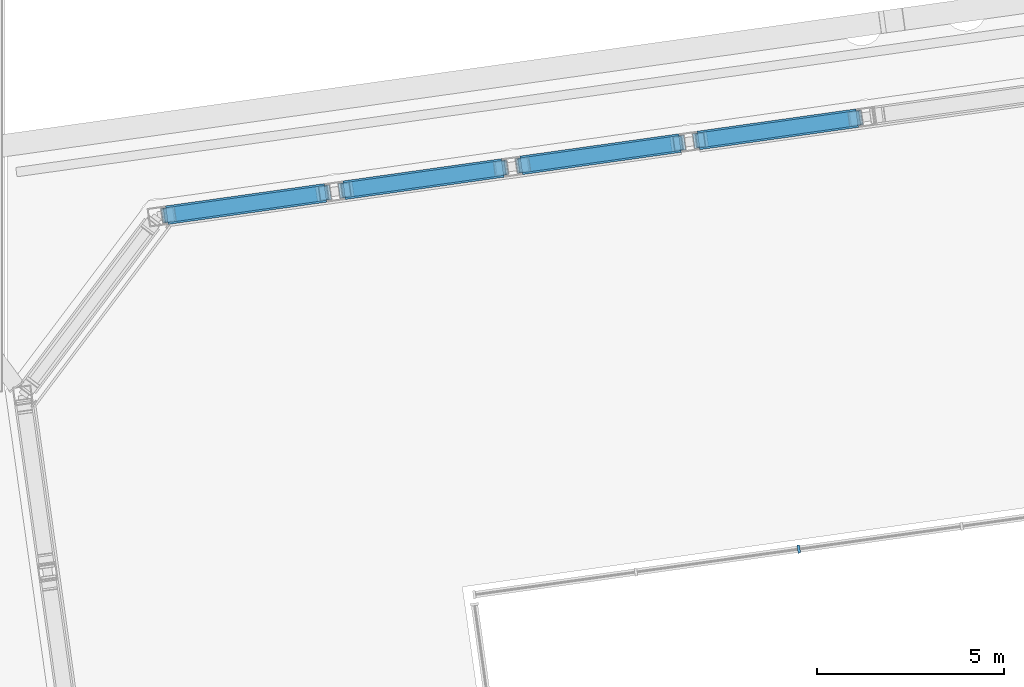
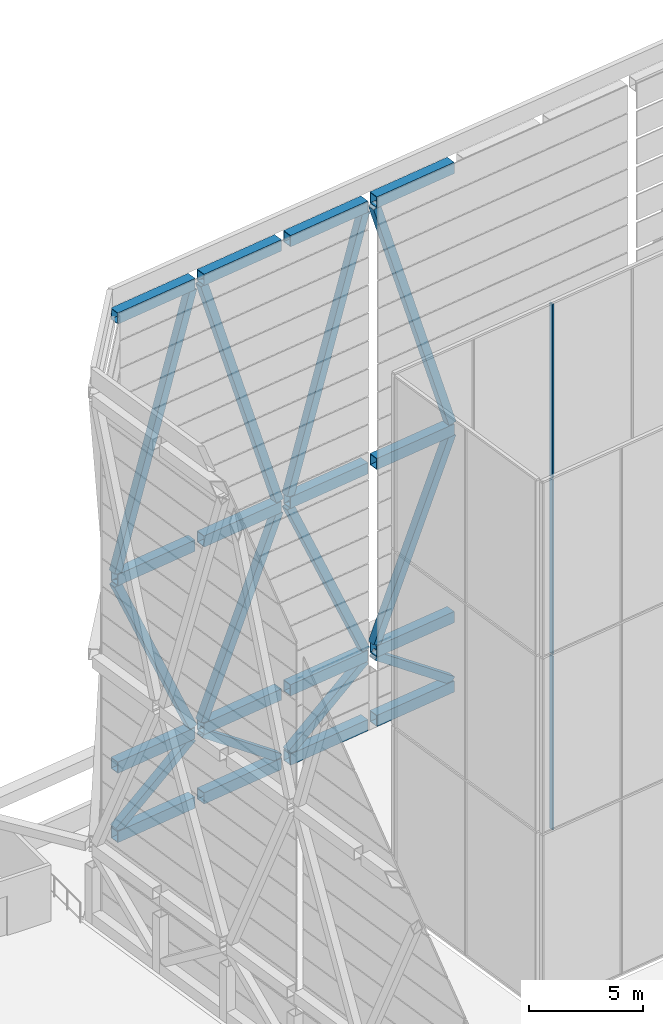
# One storey, part 15 of 45: 16 beams, 15 members, 1 element without a shape of its own.
"""IFC4 building model written with IfcOpenShell, lengths in metres."""

import ifcopenshell
import ifcopenshell.guid

model = None  # the IFC model being written
_history = None  # IfcOwnerHistory: only IFC2X3 demands one
_inside = {}  # id of a spatial element -> (the spatial element, [elements in it])
_under = {}  # id of a project, library or spatial element -> (it, [spatial elements below it])
_declared = {}  # id of a project -> (the project, [libraries it declares])
_typed = {}  # id of a type object -> (the type object, [elements of that type])
_made_of = {}  # id of a material, layer set ... -> (it, [elements and type objects made of it])


def new_model(schema):
    """Start an empty IFC model of exactly this schema.

    Asked for "IFC4X3", IfcOpenShell would pick the latest addendum, in which some entities
    have other attributes; the version numbers below select the first issue.
    IFC2X3 requires an IfcOwnerHistory on every rooted entity: one is made here for all.
    """
    global model, _history
    if schema == "IFC4X3":
        model = ifcopenshell.file(schema_version=(4, 3, 0, 0))
    else:
        model = ifcopenshell.file(schema=schema)
    _inside.clear()
    _under.clear()
    _declared.clear()
    _typed.clear()
    _made_of.clear()
    _history = None
    if model.schema == "IFC2X3":
        org = make("IfcOrganization", Name="unknown")
        user = make(
            "IfcPersonAndOrganization",
            ThePerson=make("IfcPerson", FamilyName="unknown"),
            TheOrganization=org,
        )
        app = make(
            "IfcApplication",
            ApplicationDeveloper=org,
            Version="unknown",
            ApplicationFullName="unknown",
            ApplicationIdentifier="unknown",
        )
        _history = make(
            "IfcOwnerHistory",
            OwningUser=user,
            OwningApplication=app,
            ChangeAction="ADDED",
            CreationDate=0,
        )
    return model


def make(cls, **values):
    """One entity of the class cls with the attributes given. An attribute that is None is left unset."""
    return model.create_entity(
        cls, **{name: value for name, value in values.items() if value is not None}
    )


def rooted(cls, **values):
    """An entity with a GlobalId (a new one), such as an element, a storey or a relation."""
    return make(cls, GlobalId=ifcopenshell.guid.new(), OwnerHistory=_history, **values)


def si_unit(unit_type, name, prefix=None):
    """IfcSIUnit, for example si_unit("LENGTHUNIT", "METRE", prefix="MILLI")."""
    return make("IfcSIUnit", UnitType=unit_type, Prefix=prefix, Name=name)


def assignment(units):
    """IfcUnitAssignment: the units of a project."""
    return None if units is None else make("IfcUnitAssignment", Units=units)


def point(xyz):
    """IfcCartesianPoint."""
    return None if xyz is None else make("IfcCartesianPoint", Coordinates=xyz)


def direction(xyz):
    """IfcDirection."""
    return None if xyz is None else make("IfcDirection", DirectionRatios=xyz)


def frame(location, z_axis=None, x_axis=None):
    """IfcAxis2Placement3D, a coordinate frame: its origin and axes. An axis left out is left unset."""
    return make(
        "IfcAxis2Placement3D",
        Location=point(location),
        Axis=direction(z_axis),
        RefDirection=direction(x_axis),
    )


def frame_2d(location, x_axis=None):
    """IfcAxis2Placement2D, a coordinate frame in the plane: its origin and x axis."""
    return make(
        "IfcAxis2Placement2D", Location=point(location), RefDirection=direction(x_axis)
    )


def origin():
    """The frame at (0, 0, 0) with its axes left unset."""
    return frame((0.0, 0.0, 0.0))


def origin_2d():
    """The frame at (0, 0) in the plane with its x axis left unset."""
    return frame_2d((0.0, 0.0))


def place(relative_to, where):
    """IfcLocalPlacement: puts the frame where relative to a parent placement (None: the world)."""
    return make(
        "IfcLocalPlacement", PlacementRelTo=relative_to, RelativePlacement=where
    )


def context(
    kind, dimensions, precision=None, world=None, true_north=None, identifier=None
):
    """IfcGeometricRepresentationContext, for example the 3D "Model" context."""
    return make(
        "IfcGeometricRepresentationContext",
        ContextIdentifier=identifier,
        ContextType=kind,
        CoordinateSpaceDimension=dimensions,
        Precision=precision,
        WorldCoordinateSystem=world,
        TrueNorth=true_north,
    )


def subcontext(parent, identifier, kind, view, scale=None):
    """IfcGeometricRepresentationSubContext, for example "Body" below "Model"."""
    return make(
        "IfcGeometricRepresentationSubContext",
        ContextIdentifier=identifier,
        ContextType=kind,
        ParentContext=parent,
        TargetScale=scale,
        TargetView=view,
    )


def project(units=None, contexts=None):
    """IfcProject with its units and contexts."""
    return rooted(
        "IfcProject",
        Name="project",
        RepresentationContexts=contexts,
        UnitsInContext=assignment(units),
    )


def spatial(cls, under=None, at=None, **own):
    """A site, building, storey or space (cls), placed at a placement, below another one or the project."""
    s = rooted(cls, ObjectPlacement=at, **own)
    if under is not None:
        _under.setdefault(under.id(), (under, []))[1].append(s)
    return s


def profile(cls, at=None, kind="AREA", **sizes):
    """A parametric profile (cls). Its sizes go by their IFC names, for example OverallWidth=200.0."""
    return make(cls, ProfileType=kind, Position=at, **sizes)


def rectangle(**sizes):
    """IfcRectangleProfileDef."""
    return profile("IfcRectangleProfileDef", **sizes)


def hollow_rectangle(**sizes):
    """IfcRectangleHollowProfileDef."""
    return profile("IfcRectangleHollowProfileDef", **sizes)


def extrude(swept, where, along, depth):
    """IfcExtrudedAreaSolid: the profile swept, set in the frame where, extruded along a direction by depth."""
    return make(
        "IfcExtrudedAreaSolid",
        SweptArea=swept,
        Position=where,
        ExtrudedDirection=direction(along),
        Depth=depth,
    )


def shape(context_of_items, identifier, shape_type, items):
    """IfcShapeRepresentation: the items that make up one representation, for example the "Body"."""
    return make(
        "IfcShapeRepresentation",
        ContextOfItems=context_of_items,
        RepresentationIdentifier=identifier,
        RepresentationType=shape_type,
        Items=items,
    )


def material(Name=None, Category=None):
    """IfcMaterial."""
    return make("IfcMaterial", Name=Name, Category=Category)


def material_profile(
    of_material, cross_section, Name=None, Category=None, Priority=None
):
    """IfcMaterialProfile: a cross section and its material."""
    return make(
        "IfcMaterialProfile",
        Name=Name,
        Material=of_material,
        Profile=cross_section,
        Priority=Priority,
        Category=Category,
    )


def profile_set(profiles, Name=None, composite=None):
    """IfcMaterialProfileSet."""
    return make(
        "IfcMaterialProfileSet",
        Name=Name,
        MaterialProfiles=profiles,
        CompositeProfile=composite,
    )


def made_of(thing, what):
    """Note that an element or type object is made of a material, layer set ...; save() writes the relation."""
    if what is not None:
        _made_of.setdefault(what.id(), (what, []))[1].append(thing)
    return thing


def type_object(cls, material=None, **own):
    """A type object (cls), such as IfcWallType, which elements share."""
    return made_of(rooted(cls, **own), material)


def element(
    cls,
    number,
    at=None,
    inside=None,
    cuts=None,
    type_object=None,
    material=None,
    context=None,
    identifier="Body",
    shape_type=None,
    held_by="IfcProductDefinitionShape",
    body=None,
    shapes=None,
    **own,
):
    """One element of the class cls, such as IfcWall. Its Tag is "e" and its number.

    at: its placement. inside: the storey or other place that contains it. cuts: it is an
    opening in that element (IfcRelVoidsElement). A single representation is given by context,
    identifier, shape_type and body (its items); several are given by shapes. held_by: the class
    of the entity that holds the representations. save() writes the other relations.
    """
    e = rooted(cls, Tag="e%d" % number, ObjectPlacement=at, **own)
    if body is not None:
        shapes = [shape(context, identifier, shape_type, body)]
    if shapes is not None:
        e.Representation = make(held_by, Representations=shapes)
    if inside is not None:
        _inside.setdefault(inside.id(), (inside, []))[1].append(e)
    if cuts is not None:
        rooted(
            "IfcRelVoidsElement", RelatingBuildingElement=cuts, RelatedOpeningElement=e
        )
    if type_object is not None:
        _typed.setdefault(type_object.id(), (type_object, []))[1].append(e)
    return made_of(e, material)


def aggregate(whole, parts):
    """IfcRelAggregates: a whole, such as a stair, and the parts it consists of."""
    return rooted("IfcRelAggregates", RelatingObject=whole, RelatedObjects=parts)


def save(model, path):
    """Write the relations noted so far, then the file.

    IfcRelAggregates (storeys below a building ...), IfcRelContainedInSpatialStructure (elements
    in a storey), IfcRelDefinesByType, IfcRelAssociatesMaterial and IfcRelDeclares: one each for
    every whole, place, type object, material and project.
    """
    for whole, parts in _under.values():
        aggregate(whole, parts)
    for where, things in _inside.values():
        rooted(
            "IfcRelContainedInSpatialStructure",
            RelatedElements=things,
            RelatingStructure=where,
        )
    for kind, things in _typed.values():
        rooted("IfcRelDefinesByType", RelatedObjects=things, RelatingType=kind)
    for what, things in _made_of.values():
        rooted("IfcRelAssociatesMaterial", RelatedObjects=things, RelatingMaterial=what)
    for by, libraries in _declared.values():
        rooted("IfcRelDeclares", RelatingContext=by, RelatedDefinitions=libraries)
    model.write(path)


model = new_model("IFC4")

# Units and contexts
model_context = context("Model", 3, precision=1e-05, world=origin(), true_north=direction((0.0, 1.0)))
body_context = subcontext(model_context, "Body", "Model", "MODEL_VIEW")
ifc_project = project(units=[si_unit("LENGTHUNIT", "METRE"), si_unit("AREAUNIT", "SQUARE_METRE"), si_unit("VOLUMEUNIT", "CUBIC_METRE"), si_unit("PLANEANGLEUNIT", "RADIAN"), si_unit("MASSUNIT", "GRAM", prefix="KILO")], contexts=[model_context])

# Site, building, storey
site_placement = place(None, origin())
site = spatial("IfcSite", under=ifc_project, at=site_placement, CompositionType="ELEMENT")
building_placement = place(site_placement, origin())
building = spatial("IfcBuilding", under=site, at=building_placement, Name="Mirante Cascada Hotel Towers", CompositionType="ELEMENT")
storey_placement = place(building_placement, frame((0.0, 0.0, 269.8)))
storey = spatial("IfcBuildingStorey", under=building, at=storey_placement, Name="Roof garden", CompositionType="ELEMENT", Elevation=269.8)

# Beams
ifc_material_1 = material(Name="Steel ASTM A572 Gr 50", Category="steel")
ifc_material_profile_1 = material_profile(ifc_material_1, hollow_rectangle(XDim=0.5, YDim=0.6, WallThickness=0.03, at=origin_2d()), Name="Box beam 600x500x30 ASTM A572 Gr 50")
ifc_profile_set_1 = profile_set([ifc_material_profile_1], Name="Steel ASTM A572 Gr 50")
beam_type = type_object("IfcBeamType", Name="Box beam 600x500x30 ASTM A572 Gr 50", PredefinedType="BEAM", material=ifc_profile_set_1)
for number, where, z_axis, x_axis, name in (
    (1, (16.5761, 14.8457, 0.3), (0.9902679, 0.1391744, 0.0), (-0.1391744, 0.9902679, 0.0), "CROWN FRAME ring beam T2 9"),
    (2, (21.317, 15.512, 0.3), (0.9902679, 0.1391744, 0.0), (-0.1391744, 0.9902679, 0.0), "CROWN FRAME ring beam T2 10"),
    (3, (26.0579, 16.1783, 0.3), (0.9902679, 0.1391744, 0.0), (-0.1391744, 0.9902679, 0.0), "CROWN FRAME ring beam T2 11"),
    (4, (30.7988, 16.8446, 0.3), (0.9902679, 0.1391744, 0.0), (-0.1391744, 0.9902679, 0.0), "CROWN FRAME ring beam T2 12"),
    (5, (16.5761, 14.8457, 4.0), (0.9902679, 0.1391744, 0.0), (-0.1391744, 0.9902679, 0.0), "CROWN FRAME ring beam T2 39"),
    (6, (21.317, 15.512, 4.0), (0.9902679, 0.1391744, 0.0), (-0.1391744, 0.9902679, 0.0), "CROWN FRAME ring beam T2 40"),
    (7, (26.0579, 16.1783, 4.0), (0.9902679, 0.1391744, 0.0), (-0.1391744, 0.9902679, 0.0), "CROWN FRAME ring beam T2 41"),
    (8, (30.7988, 16.8446, 4.0), (0.9902679, 0.1391744, 0.0), (-0.1391744, 0.9902679, 0.0), "CROWN FRAME ring beam T2 42"),
    (9, (16.5761, 14.8457, 14.0), (0.9902679, 0.1391744, 0.0), (-0.1391744, 0.9902679, 0.0), "CROWN FRAME ring beam T2 69"),
    (10, (21.317, 15.512, 14.0), (0.9902679, 0.1391744, 0.0), (-0.1391744, 0.9902679, 0.0), "CROWN FRAME ring beam T2 70"),
    (11, (26.0579, 16.1783, 14.0), (0.9902679, 0.1391744, 0.0), (-0.1391744, 0.9902679, 0.0), "CROWN FRAME ring beam T2 71"),
    (12, (30.7988, 16.8446, 14.0), (0.9902679, 0.1391744, 0.0), (-0.1391744, 0.9902679, 0.0), "CROWN FRAME ring beam T2 72"),
    (13, (16.5761, 14.8457, 27.95), (0.9902679, 0.1391744, 0.0), (-0.1391744, 0.9902679, 0.0), "CROWN FRAME ring beam T2 99"),
    (14, (21.317, 15.512, 27.95), (0.9902679, 0.1391744, 0.0), (-0.1391744, 0.9902679, 0.0), "CROWN FRAME ring beam T2 100"),
    (15, (26.0579, 16.1783, 27.95), (0.9902679, 0.1391744, 0.0), (-0.1391744, 0.9902679, 0.0), "CROWN FRAME ring beam T2 101"),
    (16, (30.7988, 16.8446, 27.95), (0.9902679, 0.1391744, 0.0), (-0.1391744, 0.9902679, 0.0), "CROWN FRAME ring beam T2 102"),
):
    element("IfcBeam", number, at=place(storey_placement, frame(where, z_axis=z_axis, x_axis=x_axis)), inside=storey, type_object=beam_type, Name=name, PredefinedType="BEAM", context=body_context, shape_type="SweptSolid", body=[
        extrude(hollow_rectangle(XDim=0.5, YDim=0.6, WallThickness=0.03, at=origin_2d()), origin(), (0.0, 0.0, 1.0), 4.2874),
    ])

# Members
ifc_material_2 = material(Name="Steel ASTM A572 Gr 50", Category="steel")
ifc_material_profile_2 = material_profile(ifc_material_2, hollow_rectangle(XDim=0.4, YDim=0.4, WallThickness=0.025, at=origin_2d()), Name="Box brace 400x400x25 ASTM A572 Gr 50")
ifc_profile_set_2 = profile_set([ifc_material_profile_2], Name="Steel ASTM A572 Gr 50")
member_type_1 = type_object("IfcMemberType", Name="Box brace 400x400x25 ASTM A572 Gr 50", PredefinedType="BRACE", material=ifc_profile_set_2)
for number, where, z_axis, x_axis, name in (
    (17, (16.6256, 14.8526, 0.6), (0.7959018, 0.1118604, 0.5950022), (-0.1391776, 0.9902674, 0.0), "Hat truss diagonal T2 9"),
    (18, (25.5132, 16.1017, 0.6), (-0.7959018, -0.1118604, 0.5950022), (0.1391776, -0.9902674, 0.0), "Hat truss diagonal T2 10"),
    (19, (26.1074, 16.1852, 0.6), (0.7959018, 0.1118604, 0.5950022), (-0.1391776, 0.9902674, 0.0), "Hat truss diagonal T2 11"),
    (20, (34.995, 17.4343, 0.6), (-0.7959018, -0.1118604, 0.5950022), (0.1391776, -0.9902674, 0.0), "Hat truss diagonal T2 12"),
):
    element("IfcMember", number, at=place(storey_placement, frame(where, z_axis=z_axis, x_axis=x_axis)), inside=storey, type_object=member_type_1, Name=name, PredefinedType="BRACE", context=body_context, shape_type="SweptSolid", body=[
        extrude(hollow_rectangle(XDim=0.4, YDim=0.4, WallThickness=0.025, at=origin_2d()), origin(), (0.0, 0.0, 1.0), 5.2101),
    ])
for number, where, z_axis, x_axis, name in (
    (21, (20.7723, 15.4354, 4.3), (-0.4029632, -0.0566347, 0.9134622), (0.1391776, -0.9902674, 0.0), "CROWN FRAME brace T2 39"),
    (22, (21.3665, 15.5189, 4.3), (0.4029632, 0.0566347, 0.9134622), (-0.1391776, 0.9902674, 0.0), "CROWN FRAME brace T2 40"),
    (23, (30.2541, 16.768, 4.3), (-0.4029632, -0.0566347, 0.9134622), (0.1391776, -0.9902674, 0.0), "CROWN FRAME brace T2 41"),
    (24, (30.8483, 16.8515, 4.3), (0.4029632, 0.0566347, 0.9134622), (-0.1391776, 0.9902674, 0.0), "CROWN FRAME brace T2 42"),
):
    element("IfcMember", number, at=place(storey_placement, frame(where, z_axis=z_axis, x_axis=x_axis)), inside=storey, type_object=member_type_1, Name=name, PredefinedType="BRACE", context=body_context, shape_type="SweptSolid", body=[
        extrude(hollow_rectangle(XDim=0.4, YDim=0.4, WallThickness=0.025, at=origin_2d()), origin(), (0.0, 0.0, 1.0), 10.2905),
    ])
for number, where, z_axis, x_axis, name in (
    (25, (16.6256, 14.8526, 14.3), (0.2963764, 0.0416544, 0.9541624), (-0.1391776, 0.9902674, 0.0), "CROWN FRAME brace T2 69"),
    (26, (25.5132, 16.1017, 14.3), (-0.2963764, -0.0416544, 0.9541624), (0.1391776, -0.9902674, 0.0), "CROWN FRAME brace T2 70"),
    (27, (26.1074, 16.1852, 14.3), (0.2963764, 0.0416544, 0.9541624), (-0.1391776, 0.9902674, 0.0), "CROWN FRAME brace T2 71"),
    (28, (34.995, 17.4343, 14.3), (-0.2963764, -0.0416544, 0.9541624), (0.1391776, -0.9902674, 0.0), "CROWN FRAME brace T2 72"),
):
    element("IfcMember", number, at=place(storey_placement, frame(where, z_axis=z_axis, x_axis=x_axis)), inside=storey, type_object=member_type_1, Name=name, PredefinedType="BRACE", context=body_context, shape_type="SweptSolid", body=[
        extrude(hollow_rectangle(XDim=0.4, YDim=0.4, WallThickness=0.025, at=origin_2d()), origin(), (0.0, 0.0, 1.0), 13.9913),
    ])

# Curtain wall, members
ifc_material_3 = material(Name="Aluminium mullion and transom frame with clear laminated glass", Category="aluminium")
curtain_wall_type = type_object("IfcCurtainWallType", Name="Atrium rooflight wall ECW6", PredefinedType="NOTDEFINED", material=ifc_material_3)
curtain_wall_placement = place(storey_placement, origin())
curtain_wall = element("IfcCurtainWall", 29, at=curtain_wall_placement, inside=storey, type_object=curtain_wall_type, Name="Atrium rooflight wall T2 long front", PredefinedType="NOTDEFINED")
ifc_material_4 = material(Name="Anodised aluminium extrusion", Category="aluminium")
ifc_material_profile_3 = material_profile(ifc_material_4, rectangle(XDim=0.22, YDim=0.07, at=origin_2d()), Name="ECW6 MULLION 70x220")
ifc_profile_set_3 = profile_set([ifc_material_profile_3], Name="Anodised aluminium extrusion")
member_type_2 = type_object("IfcMemberType", Name="ECW6 mullion 70x220", PredefinedType="MULLION", material=ifc_profile_set_3)
member_1_placement = place(storey_placement, frame((33.4828, 5.9117, 0.1), z_axis=(0.0, 0.0, 1.0), x_axis=(0.1391731, -0.9902681, 0.0)))
member_1 = element("IfcMember", 30, at=member_1_placement, type_object=member_type_2, Name="ECW6 mullion 4", PredefinedType="MULLION", context=body_context, shape_type="SweptSolid", body=[
    extrude(rectangle(XDim=0.22, YDim=0.07, at=origin_2d()), origin(), (0.0, 0.0, 1.0), 9.2667),
])
member_2_placement = place(storey_placement, frame((33.4828, 5.9117, 9.4667), z_axis=(0.0, 0.0, 1.0), x_axis=(0.1391731, -0.9902681, 0.0)))
member_2 = element("IfcMember", 31, at=member_2_placement, type_object=member_type_2, Name="ECW6 mullion 4", PredefinedType="MULLION", context=body_context, shape_type="SweptSolid", body=[
    extrude(rectangle(XDim=0.22, YDim=0.07, at=origin_2d()), origin(), (0.0, 0.0, 1.0), 9.3166),
])
member_3_placement = place(storey_placement, frame((33.4828, 5.9117, 18.8833), z_axis=(0.0, 0.0, 1.0), x_axis=(0.1391731, -0.9902681, 0.0)))
member_3 = element("IfcMember", 32, at=member_3_placement, type_object=member_type_2, Name="ECW6 mullion 4", PredefinedType="MULLION", context=body_context, shape_type="SweptSolid", body=[
    extrude(rectangle(XDim=0.22, YDim=0.07, at=origin_2d()), origin(), (0.0, 0.0, 1.0), 9.2667),
])
aggregate(curtain_wall, [member_1, member_2, member_3])

save(model, "model.ifc")
